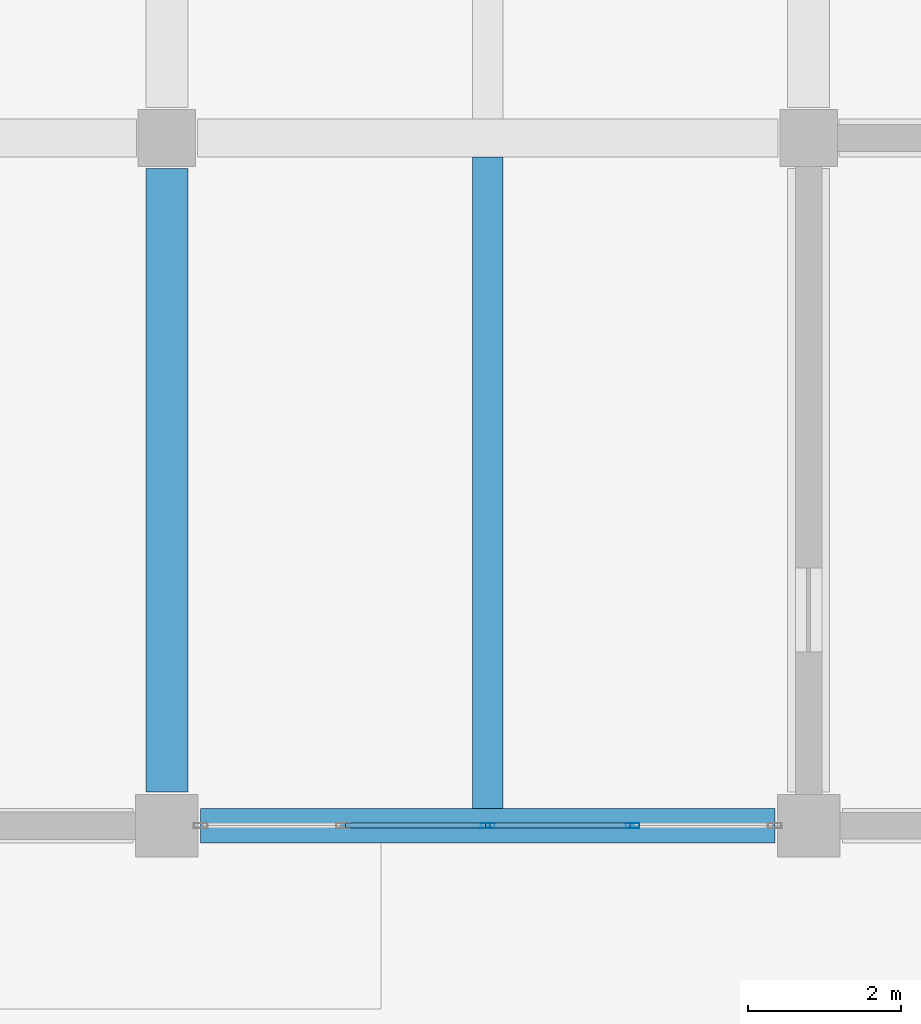
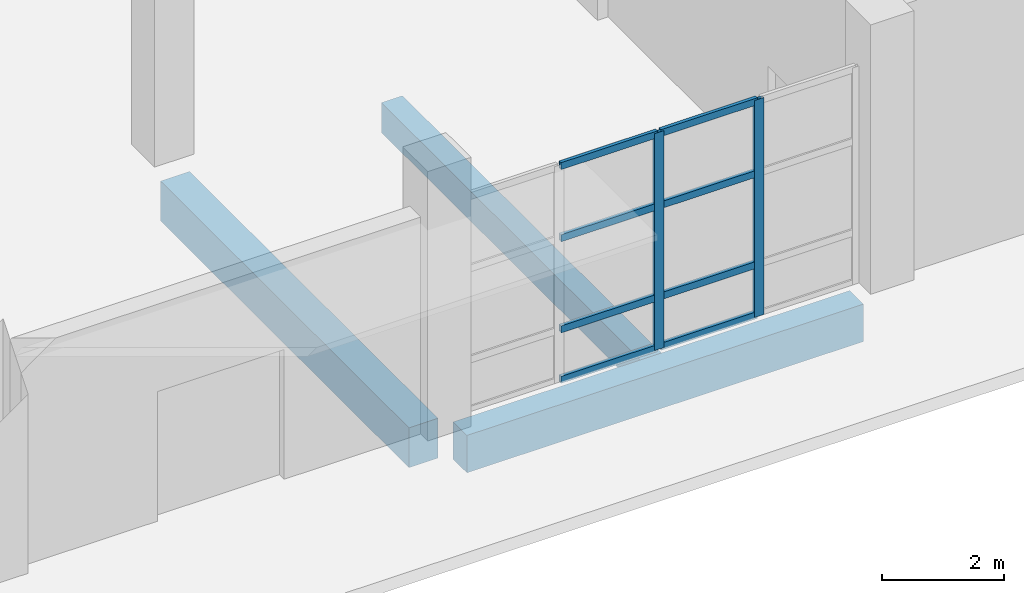
# One storey, part 7 of 78: 10 members, 3 beams, 1 element without a shape of its own.
"""IFC4 building model written with IfcOpenShell, lengths in metres."""

from ifc_helpers import new_model, si_unit, direction, frame, origin, origin_2d, place, context, subcontext, project, spatial, rectangle, hollow_rectangle, extrude, material, material_profile, profile_set, type_object, element, aggregate, save


model = new_model("IFC4")

# Units and contexts
model_context = context("Model", 3, precision=1e-05, world=origin(), true_north=direction((0.0, 1.0)))
body_context = subcontext(model_context, "Body", "Model", "MODEL_VIEW")
ifc_project = project(units=[si_unit("LENGTHUNIT", "METRE"), si_unit("AREAUNIT", "SQUARE_METRE"), si_unit("VOLUMEUNIT", "CUBIC_METRE"), si_unit("PLANEANGLEUNIT", "RADIAN"), si_unit("MASSUNIT", "GRAM", prefix="KILO")], contexts=[model_context])

# Site, building, storey
site_placement = place(None, origin())
site = spatial("IfcSite", under=ifc_project, at=site_placement, CompositionType="ELEMENT")
building_placement = place(site_placement, origin())
building = spatial("IfcBuilding", under=site, at=building_placement, Name="Pellamere Symphony Hall", CompositionType="ELEMENT")
storey_placement = place(building_placement, origin())
storey = spatial("IfcBuildingStorey", under=building, at=storey_placement, Name="L00", CompositionType="ELEMENT", Elevation=0.0)

# Curtain wall, members
ifc_material_1 = material(Name="Thermally Broken Anodised Aluminium 6063-T6 Curtain Wall", Category="aluminium")
curtain_wall_type = type_object("IfcCurtainWallType", Name="Curtain Wall CW-04 (Chamber Music Lobby Curtain Wall)", PredefinedType="NOTDEFINED", material=ifc_material_1)
curtain_wall_placement = place(storey_placement, origin())
curtain_wall = element("IfcCurtainWall", 1, at=curtain_wall_placement, inside=storey, type_object=curtain_wall_type, Name="Chamber Lobby South Curtain Wall (L00 Bay 2)", PredefinedType="NOTDEFINED")
ifc_material_2 = material(Name="Anodised Architectural Aluminium 6063-T6", Category="aluminium")
ifc_material_profile_1 = material_profile(ifc_material_2, hollow_rectangle(XDim=0.06494140625, YDim=0.179931640625, WallThickness=0.00390625, at=origin_2d()), Name="ALU-M65X180X4")
ifc_profile_set_1 = profile_set([ifc_material_profile_1], Name="Anodised Architectural Aluminium 6063-T6")
member_type_1 = type_object("IfcMemberType", Name="Curtain Wall Mullion ML-02 ALU-M65X180X4", PredefinedType="MULLION", material=ifc_profile_set_1)
member_1_placement = place(storey_placement, frame((29.39990234375, 0.0, 0.0), z_axis=(0.0, 0.0, 1.0), x_axis=(0.0, 1.0, 0.0)))
member_1 = element("IfcMember", 2, at=member_1_placement, type_object=member_type_1, Name="CW4-108 crystal mullion 3", PredefinedType="MULLION", context=body_context, shape_type="SweptSolid", body=[
    extrude(hollow_rectangle(XDim=0.06494140625, YDim=0.179931640625, WallThickness=0.00390625, at=origin_2d()), origin(), (0.0, 0.0, 1.0), 4.35009765625),
])
member_2_placement = place(storey_placement, frame((31.294921875, 0.0, 0.0), z_axis=(0.0, 0.0, 1.0), x_axis=(0.0, 1.0, 0.0)))
member_2 = element("IfcMember", 3, at=member_2_placement, type_object=member_type_1, Name="CW4-108 crystal mullion 4", PredefinedType="MULLION", context=body_context, shape_type="SweptSolid", body=[
    extrude(hollow_rectangle(XDim=0.06494140625, YDim=0.179931640625, WallThickness=0.00390625, at=origin_2d()), origin(), (0.0, 0.0, 1.0), 4.35009765625),
])
ifc_material_profile_2 = material_profile(ifc_material_2, hollow_rectangle(XDim=0.06494140625, YDim=0.139892578125, WallThickness=0.00390625, at=origin_2d()), Name="ALU-T65X140X4")
ifc_profile_set_2 = profile_set([ifc_material_profile_2], Name="Anodised Architectural Aluminium 6063-T6")
member_type_2 = type_object("IfcMemberType", Name="Curtain Wall Transom TR-02 ALU-T65X140X4", PredefinedType="USERDEFINED", material=ifc_profile_set_2)
member_3_placement = place(storey_placement, frame((27.53759765625, 0.0, 0.032470703125), z_axis=(1.0, 0.0, 0.0), x_axis=(0.0, 1.0, 0.0)))
member_3 = element("IfcMember", 4, at=member_3_placement, type_object=member_type_2, Name="CW4-108 crystal transom 2.1", ObjectType="TRANSOM", PredefinedType="USERDEFINED", context=body_context, shape_type="SweptSolid", body=[
    extrude(hollow_rectangle(XDim=0.06494140625, YDim=0.139892578125, WallThickness=0.00390625, at=origin_2d()), origin(), (0.0, 0.0, 1.0), 1.829833984375),
])
member_4_placement = place(storey_placement, frame((27.53759765625, 0.0, 1.0439453125), z_axis=(1.0, 0.0, 0.0), x_axis=(0.0, 1.0, 0.0)))
member_4 = element("IfcMember", 5, at=member_4_placement, type_object=member_type_2, Name="CW4-108 crystal transom 2.2", ObjectType="TRANSOM", PredefinedType="USERDEFINED", context=body_context, shape_type="SweptSolid", body=[
    extrude(hollow_rectangle(XDim=0.06494140625, YDim=0.139892578125, WallThickness=0.00390625, at=origin_2d()), origin(), (0.0, 0.0, 1.0), 1.829833984375),
])
member_5_placement = place(storey_placement, frame((27.53759765625, 0.0, 2.87109375), z_axis=(1.0, 0.0, 0.0), x_axis=(0.0, 1.0, 0.0)))
member_5 = element("IfcMember", 6, at=member_5_placement, type_object=member_type_2, Name="CW4-108 crystal transom 2.3", ObjectType="TRANSOM", PredefinedType="USERDEFINED", context=body_context, shape_type="SweptSolid", body=[
    extrude(hollow_rectangle(XDim=0.06494140625, YDim=0.139892578125, WallThickness=0.00390625, at=origin_2d()), origin(), (0.0, 0.0, 1.0), 1.829833984375),
])
member_6_placement = place(storey_placement, frame((27.53759765625, 0.0, 4.3173828125), z_axis=(1.0, 0.0, 0.0), x_axis=(0.0, 1.0, 0.0)))
member_6 = element("IfcMember", 7, at=member_6_placement, type_object=member_type_2, Name="CW4-108 crystal transom 2.4", ObjectType="TRANSOM", PredefinedType="USERDEFINED", context=body_context, shape_type="SweptSolid", body=[
    extrude(hollow_rectangle(XDim=0.06494140625, YDim=0.139892578125, WallThickness=0.00390625, at=origin_2d()), origin(), (0.0, 0.0, 1.0), 1.829833984375),
])
member_7_placement = place(storey_placement, frame((29.4326171875, 0.0, 0.032470703125), z_axis=(1.0, 0.0, 0.0), x_axis=(0.0, 1.0, 0.0)))
member_7 = element("IfcMember", 8, at=member_7_placement, type_object=member_type_2, Name="CW4-108 crystal transom 3.1", ObjectType="TRANSOM", PredefinedType="USERDEFINED", context=body_context, shape_type="SweptSolid", body=[
    extrude(hollow_rectangle(XDim=0.06494140625, YDim=0.139892578125, WallThickness=0.00390625, at=origin_2d()), origin(), (0.0, 0.0, 1.0), 1.829833984375),
])
member_8_placement = place(storey_placement, frame((29.4326171875, 0.0, 1.0439453125), z_axis=(1.0, 0.0, 0.0), x_axis=(0.0, 1.0, 0.0)))
member_8 = element("IfcMember", 9, at=member_8_placement, type_object=member_type_2, Name="CW4-108 crystal transom 3.2", ObjectType="TRANSOM", PredefinedType="USERDEFINED", context=body_context, shape_type="SweptSolid", body=[
    extrude(hollow_rectangle(XDim=0.06494140625, YDim=0.139892578125, WallThickness=0.00390625, at=origin_2d()), origin(), (0.0, 0.0, 1.0), 1.829833984375),
])
member_9_placement = place(storey_placement, frame((29.4326171875, 0.0, 2.87109375), z_axis=(1.0, 0.0, 0.0), x_axis=(0.0, 1.0, 0.0)))
member_9 = element("IfcMember", 10, at=member_9_placement, type_object=member_type_2, Name="CW4-108 crystal transom 3.3", ObjectType="TRANSOM", PredefinedType="USERDEFINED", context=body_context, shape_type="SweptSolid", body=[
    extrude(hollow_rectangle(XDim=0.06494140625, YDim=0.139892578125, WallThickness=0.00390625, at=origin_2d()), origin(), (0.0, 0.0, 1.0), 1.829833984375),
])
member_10_placement = place(storey_placement, frame((29.4326171875, 0.0, 4.3173828125), z_axis=(1.0, 0.0, 0.0), x_axis=(0.0, 1.0, 0.0)))
member_10 = element("IfcMember", 11, at=member_10_placement, type_object=member_type_2, Name="CW4-108 crystal transom 3.4", ObjectType="TRANSOM", PredefinedType="USERDEFINED", context=body_context, shape_type="SweptSolid", body=[
    extrude(hollow_rectangle(XDim=0.06494140625, YDim=0.139892578125, WallThickness=0.00390625, at=origin_2d()), origin(), (0.0, 0.0, 1.0), 1.829833984375),
])
aggregate(curtain_wall, [member_1, member_2, member_3, member_4, member_5, member_6, member_7, member_8, member_9, member_10])

# Beams
ifc_material_3 = material(Name="Concrete 40 MPa", Category="concrete")
ifc_material_profile_3 = material_profile(ifc_material_3, rectangle(XDim=0.550048828125, YDim=0.800048828125, at=origin_2d()), Name="RC 550x800")
ifc_profile_set_3 = profile_set([ifc_material_profile_3], Name="Concrete 40 MPa")
beam_type_1 = type_object("IfcBeamType", Name="RC CB-05 550x800", PredefinedType="BEAM", material=ifc_profile_set_3)
beam_1_placement = place(storey_placement, frame((25.199951171875, 0.43994140625, -0.699951171875), z_axis=(0.0, 1.0, 0.0), x_axis=(-1.0, 0.0, 0.0)))
element("IfcBeam", 12, at=beam_1_placement, inside=storey, type_object=beam_type_1, Name="Girder CB-05-Y0215 (L00)", PredefinedType="BEAM", context=body_context, shape_type="SweptSolid", body=[
    extrude(rectangle(XDim=0.550048828125, YDim=0.800048828125, at=origin_2d()), origin(), (0.0, 0.0, 1.0), 8.16015625),
])
ifc_material_profile_4 = material_profile(ifc_material_3, rectangle(XDim=0.39990234375, YDim=0.60009765625, at=origin_2d()), Name="RC 400x600")
ifc_profile_set_4 = profile_set([ifc_material_profile_4], Name="Concrete 40 MPa")
beam_type_2 = type_object("IfcBeamType", Name="RC CB-09 400x600", PredefinedType="BEAM", material=ifc_profile_set_4)
beam_2_placement = place(storey_placement, frame((29.39990234375, 0.22509765625, -0.614990234375), z_axis=(0.0, 1.0, 0.0), x_axis=(-1.0, 0.0, 0.0)))
element("IfcBeam", 13, at=beam_2_placement, inside=storey, type_object=beam_type_2, Name="Secondary Floor Beam CB-09-M0300 (L00)", PredefinedType="BEAM", context=body_context, shape_type="SweptSolid", body=[
    extrude(rectangle(XDim=0.39990234375, YDim=0.60009765625, at=origin_2d()), origin(), (0.0, 0.0, 1.0), 8.52490234375),
])
ifc_material_profile_5 = material_profile(ifc_material_3, rectangle(XDim=0.449951171875, YDim=0.75, at=origin_2d()), Name="RC 450x750")
ifc_profile_set_5 = profile_set([ifc_material_profile_5], Name="Concrete 40 MPa")
beam_type_3 = type_object("IfcBeamType", Name="RC CB-12 450x750", PredefinedType="SPANDREL", material=ifc_profile_set_5)
beam_3_placement = place(storey_placement, frame((25.639892578125, 0.0, -0.675048828125), z_axis=(1.0, 0.0, 0.0), x_axis=(0.0, 1.0, 0.0)))
element("IfcBeam", 14, at=beam_3_placement, inside=storey, type_object=beam_type_3, Name="Girder CB-12-X0004 (L00)", PredefinedType="SPANDREL", context=body_context, shape_type="SweptSolid", body=[
    extrude(rectangle(XDim=0.449951171875, YDim=0.75, at=origin_2d()), origin(), (0.0, 0.0, 1.0), 7.52001953125),
])

save(model, "model.ifc")
